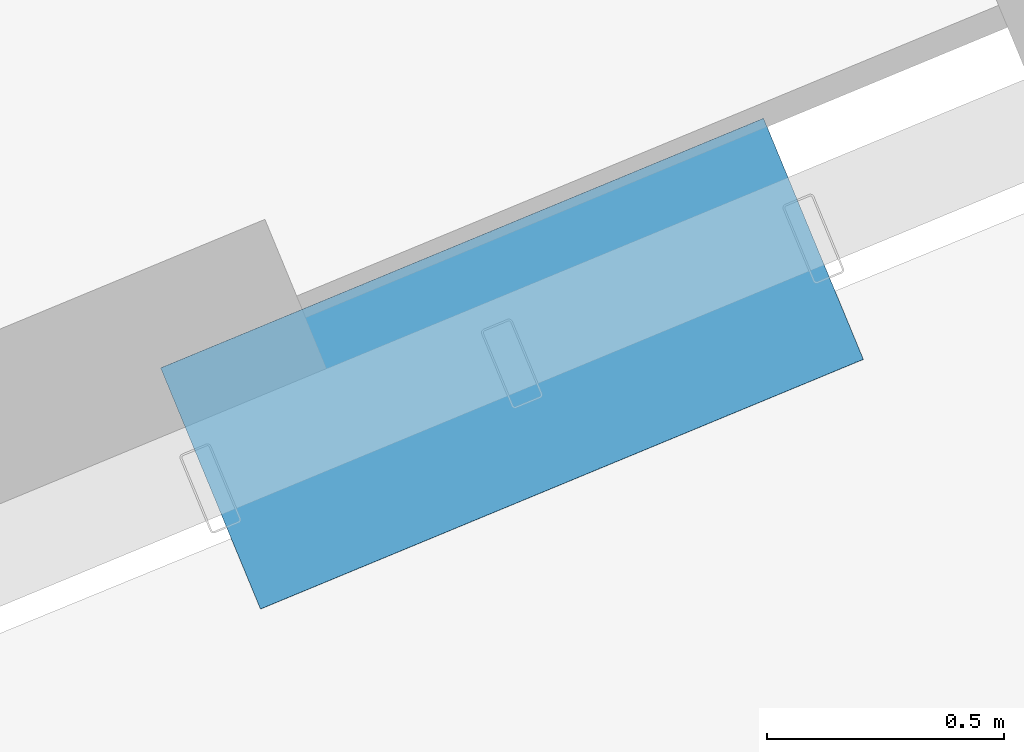
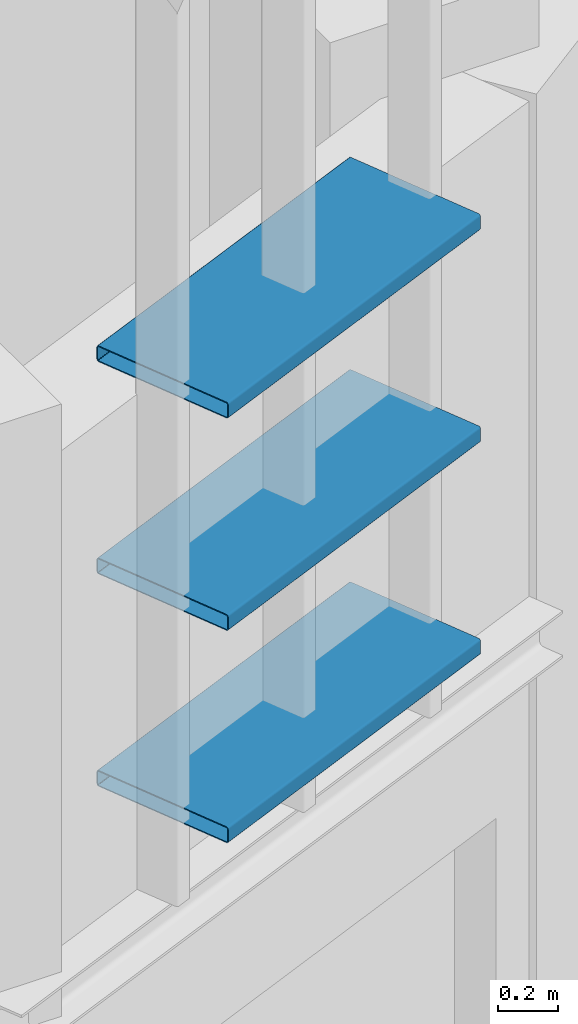
# One storey, part 44 of 372: 3 members.
"""IFC4 building model written with IfcOpenShell, lengths in metres."""

from ifc_helpers import new_model, si_unit, direction, frame, origin, origin_2d, place, context, subcontext, project, spatial, hollow_rectangle, extrude, material, material_profile, profile_set, type_object, element, save


model = new_model("IFC4")

# Units and contexts
model_context = context("Model", 3, precision=1e-05, world=origin(), true_north=direction((0.0, 1.0)))
body_context = subcontext(model_context, "Body", "Model", "MODEL_VIEW")
ifc_project = project(units=[si_unit("LENGTHUNIT", "METRE"), si_unit("AREAUNIT", "SQUARE_METRE"), si_unit("VOLUMEUNIT", "CUBIC_METRE"), si_unit("PLANEANGLEUNIT", "RADIAN"), si_unit("MASSUNIT", "GRAM", prefix="KILO")], contexts=[model_context])

# Site, building, storey
site_placement = place(None, origin())
site = spatial("IfcSite", under=ifc_project, at=site_placement, CompositionType="ELEMENT")
building_placement = place(site_placement, origin())
building = spatial("IfcBuilding", under=site, at=building_placement, Name="Kaelora Sail Theatre", CompositionType="ELEMENT")
storey_placement = place(building_placement, origin())
storey = spatial("IfcBuildingStorey", under=building, at=storey_placement, Name="L00", CompositionType="ELEMENT", Elevation=0.0)

# Members
ifc_material = material(Name="Anodised aluminium 6063-T6", Category="aluminium")
ifc_material_profile = material_profile(ifc_material, hollow_rectangle(XDim=0.550048828125, YDim=0.06494140625, WallThickness=0.00390625, InnerFilletRadius=0.00390625, OuterFilletRadius=0.008056640625, at=origin_2d()), Name="LOUVRE 550x65x4")
ifc_profile_set = profile_set([ifc_material_profile], Name="Anodised aluminium 6063-T6")
member_type = type_object("IfcMemberType", Name="ARC-MEM-LVR-300", PredefinedType="USERDEFINED", material=ifc_profile_set)
for number, where, z_axis, x_axis, name in (
    (1, (46.971435546875, 24.78955078125, 3.449951171875), (-0.923925927829, -0.382571404949, 0.0), (0.382571404949, -0.923925927829, 0.0), "Main Theatre Sail Drum horizontal solar louvre C10-01"),
    (2, (46.971435546875, 24.78955078125, 4.31005859375), (-0.923925927829, -0.382571404949, 0.0), (0.382571404949, -0.923925927829, 0.0), "Main Theatre Sail Drum horizontal solar louvre C10-02"),
    (3, (46.971435546875, 24.78955078125, 5.169921875), (-0.923925927829, -0.382571404949, 0.0), (0.382571404949, -0.923925927829, 0.0), "Main Theatre Sail Drum horizontal solar louvre C10-03"),
):
    element("IfcMember", number, at=place(storey_placement, frame(where, z_axis=z_axis, x_axis=x_axis)), inside=storey, type_object=member_type, Name=name, ObjectType="LOUVRE", PredefinedType="USERDEFINED", context=body_context, shape_type="SweptSolid", body=[
        extrude(hollow_rectangle(XDim=0.550048828125, YDim=0.06494140625, WallThickness=0.00390625, InnerFilletRadius=0.00390625, OuterFilletRadius=0.008056640625, at=origin_2d()), origin(), (0.0, 0.0, 1.0), 1.37451171875),
    ])

save(model, "model.ifc")
